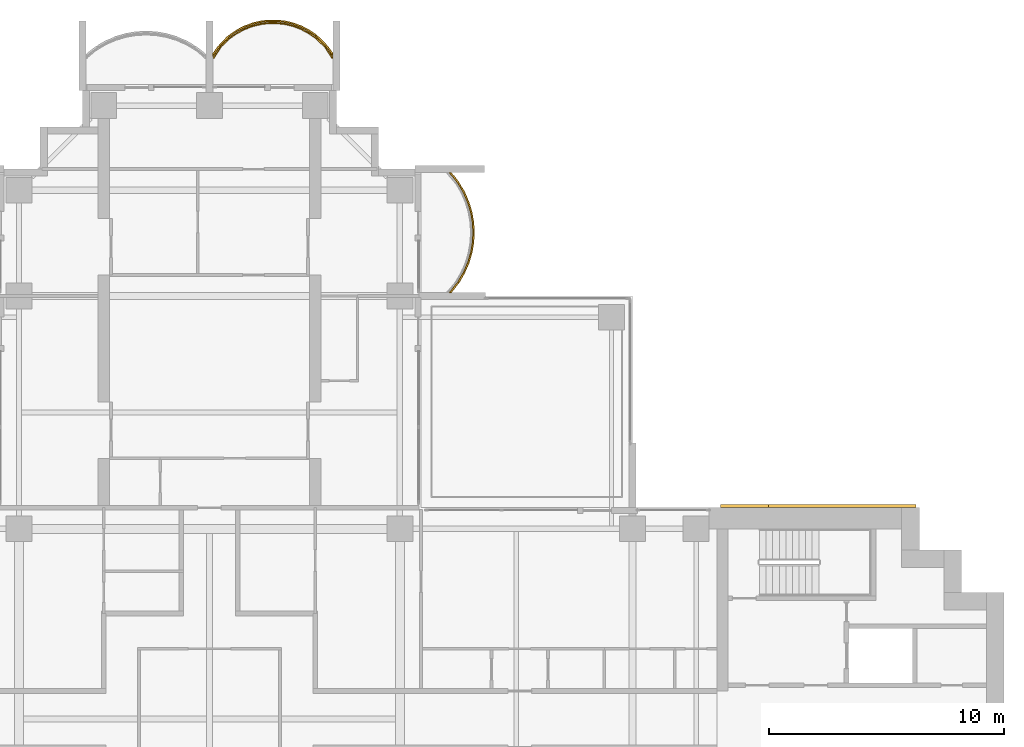
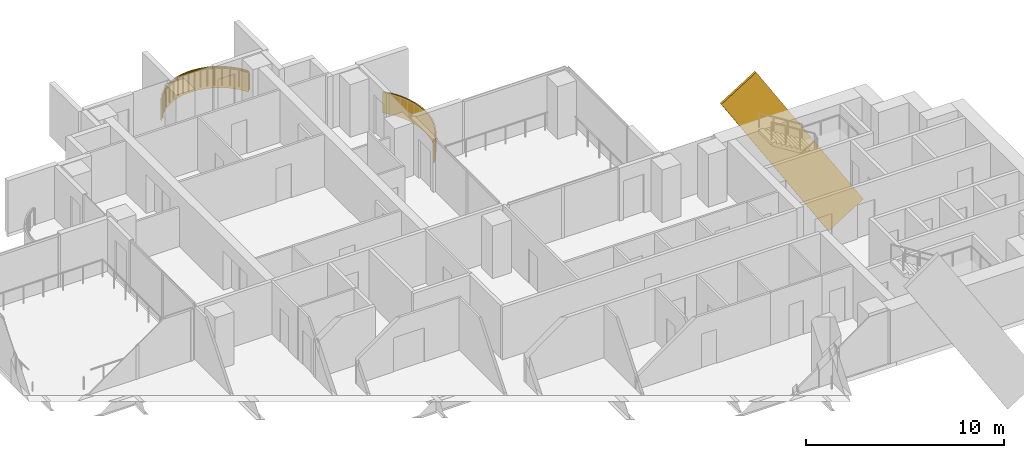
# One storey, part 19 of 19: 3 coverings, 1 railing.
"""IFC4 building model written with IfcOpenShell, lengths in metres."""

from ifc_helpers import new_model, si_unit, direction, frame, origin, origin_2d, place, context, subcontext, project, spatial, polyline, rectangle, outline, extrude, material, layer, layer_set, material_profile, profile_set, type_object, element, save


model = new_model("IFC4")

# Units and contexts
model_context = context("Model", 3, precision=1e-05, world=origin(), true_north=direction((0.0, 1.0)))
body_context = subcontext(model_context, "Body", "Model", "MODEL_VIEW")
ifc_project = project(units=[si_unit("LENGTHUNIT", "METRE"), si_unit("AREAUNIT", "SQUARE_METRE"), si_unit("VOLUMEUNIT", "CUBIC_METRE"), si_unit("PLANEANGLEUNIT", "RADIAN"), si_unit("MASSUNIT", "GRAM", prefix="KILO")], contexts=[model_context])

# Site, building, storey
site_placement = place(None, origin())
site = spatial("IfcSite", under=ifc_project, at=site_placement, CompositionType="ELEMENT")
building_placement = place(site_placement, origin())
building = spatial("IfcBuilding", under=site, at=building_placement, Name="Perihelion Cross Residences", CompositionType="ELEMENT")
storey_placement = place(building_placement, frame((0.0, 0.0, 137.39990234375)))
storey = spatial("IfcBuildingStorey", under=building, at=storey_placement, Name="L33", CompositionType="ELEMENT", Elevation=137.39990234375)

# Coverings
ifc_material_1 = material(Name="Bronze anodised aluminium", Category="aluminium")
ifc_layer = layer(ifc_material_1, 0.070068359375)
ifc_layer_set = layer_set([ifc_layer], Name="Balcony fascia 1300")
covering_type_1 = type_object("IfcCoveringType", Name="Balcony fascia 1300", PredefinedType="CLADDING", material=ifc_layer_set)
covering_1_placement = place(storey_placement, frame((0.0, 0.0, -0.199951171875)))
element("IfcCovering", 1, at=covering_1_placement, inside=storey, type_object=covering_type_1, Name="Fascia BF1 L33 north side east bay 2", PredefinedType="CLADDING", context=body_context, shape_type="SweptSolid", body=[
    extrude(outline(polyline([(10.59765625, 18.53515625), (10.85498046875, 18.96826171875), (11.04248046875, 19.401123046875), (11.170654296875, 19.833984375), (11.245361328125, 20.26708984375), (11.27001953125, 20.699951171875), (11.245361328125, 21.133056640625), (11.170654296875, 21.56591796875), (11.04248046875, 21.998779296875), (10.85498046875, 22.431884765625), (10.59765625, 22.86474609375), (10.28955078125, 23.25), (10.199951171875, 23.25), (10.5400390625, 22.824951171875), (10.792724609375, 22.39990234375), (10.9765625, 21.97509765625), (11.1025390625, 21.550048828125), (11.17578125, 21.125), (11.199951171875, 20.699951171875), (11.17578125, 20.27490234375), (11.1025390625, 19.85009765625), (10.9765625, 19.425048828125), (10.792724609375, 19.0), (10.5400390625, 18.574951171875), (10.199951171875, 18.14990234375), (10.28955078125, 18.14990234375), (10.59765625, 18.53515625)])), origin(), (0.0, 0.0, 1.0), 1.300048828125),
])
covering_2_placement = place(storey_placement, frame((0.0, 0.0, -0.199951171875)))
element("IfcCovering", 2, at=covering_2_placement, inside=storey, type_object=covering_type_1, Name="Fascia BF1 L33 north tip north bay 1", PredefinedType="CLADDING", context=body_context, shape_type="SweptSolid", body=[
    extrude(outline(polyline([(4.963134765625, 28.722412109375), (4.61474609375, 29.060791015625), (4.2666015625, 29.308837890625), (3.91845703125, 29.4912109375), (3.5703125, 29.620361328125), (3.22216796875, 29.703369140625), (2.8740234375, 29.743896484375), (2.52587890625, 29.743896484375), (2.177734375, 29.703369140625), (1.82958984375, 29.620361328125), (1.4814453125, 29.4912109375), (1.13330078125, 29.308837890625), (0.78515625, 29.060791015625), (0.43701171875, 28.722412109375), (0.14990234375, 28.320556640625), (0.14990234375, 28.199951171875), (0.489990234375, 28.6767578125), (0.830078125, 29.007080078125), (1.169921875, 29.2490234375), (1.510009765625, 29.42724609375), (1.85009765625, 29.553466796875), (2.18994140625, 29.63427734375), (2.530029296875, 29.674072265625), (2.8701171875, 29.674072265625), (3.2099609375, 29.63427734375), (3.550048828125, 29.553466796875), (3.889892578125, 29.42724609375), (4.22998046875, 29.2490234375), (4.570068359375, 29.007080078125), (4.909912109375, 28.6767578125), (5.25, 28.199951171875), (5.25, 28.320556640625), (4.963134765625, 28.722412109375)])), origin(), (0.0, 0.0, 1.0), 1.300048828125),
])

# Railing
ifc_material_2 = material(Name="Bronze anodised aluminium", Category="aluminium")
railing_type = type_object("IfcRailingType", Name="Balcony guard 1100", PredefinedType="GUARDRAIL", material=ifc_material_2)
railing_placement = place(storey_placement, frame((5.22509765625, 28.139892578125, 0.0)))
element("IfcRailing", 3, at=railing_placement, inside=storey, type_object=railing_type, Name="Guard GU1 L33 north tip north bay 1 balcony", PredefinedType="GUARDRAIL", context=body_context, shape_type="SweptSolid", body=[
    extrude(rectangle(XDim=0.048095703125, YDim=0.048095703125, at=origin_2d()), frame((0.0, 0.0, 1.076171875), z_axis=(-0.55144309028, 0.834212513801, 0.0), x_axis=(-0.834212513801, -0.55144309028, 0.0)), (0.0, 0.0, 1.0), 0.571533203125),
    extrude(rectangle(XDim=0.048095703125, YDim=0.048095703125, at=origin_2d()), frame((-0.315185546875, 0.476806640625, 1.076171875), z_axis=(-0.717080736691, 0.696990112603, 0.0), x_axis=(-0.696990112603, -0.717080736691, 0.0)), (0.0, 0.0, 1.0), 0.473876953125),
    extrude(rectangle(XDim=0.048095703125, YDim=0.048095703125, at=origin_2d()), frame((-0.655029296875, 0.80712890625, 1.076171875), z_axis=(-0.814562360662, 0.580075995532, 0.0), x_axis=(-0.580075995532, -0.814562360662, 0.0)), (0.0, 0.0, 1.0), 0.41748046875),
    extrude(rectangle(XDim=0.048095703125, YDim=0.048095703125, at=origin_2d()), frame((-0.9951171875, 1.04931640625, 1.076171875), z_axis=(-0.886005761733, 0.463674228502, 0.0), x_axis=(-0.463674228502, -0.886005761733, 0.0)), (0.0, 0.0, 1.0), 0.3837890625),
    extrude(rectangle(XDim=0.048095703125, YDim=0.048095703125, at=origin_2d()), frame((-1.335205078125, 1.227294921875, 1.076171875), z_axis=(-0.937431552165, 0.348169621027, 0.0), x_axis=(-0.348169621027, -0.937431552165, 0.0)), (0.0, 0.0, 1.0), 0.362548828125),
    extrude(rectangle(XDim=0.048095703125, YDim=0.048095703125, at=origin_2d()), frame((-1.675048828125, 1.353515625, 1.076171875), z_axis=(-0.972753741142, 0.231840805498, 0.0), x_axis=(-0.231840805498, -0.972753741142, 0.0)), (0.0, 0.0, 1.0), 0.349609375),
    extrude(rectangle(XDim=0.048095703125, YDim=0.048095703125, at=origin_2d()), frame((-2.01513671875, 1.4345703125, 1.076171875), z_axis=(-0.993295952156, 0.11559909788, 0.0), x_axis=(-0.11559909788, -0.993295952156, 0.0)), (0.0, 0.0, 1.0), 0.342041015625),
    extrude(rectangle(XDim=0.048095703125, YDim=0.048095703125, at=origin_2d()), frame((-2.35498046875, 1.47412109375, 1.076171875), z_axis=(-1.0, 0.0, 0.0), x_axis=(0.0, -1.0, 0.0)), (0.0, 0.0, 1.0), 0.340087890625),
    extrude(rectangle(XDim=0.048095703125, YDim=0.048095703125, at=origin_2d()), frame((-2.695068359375, 1.47412109375, 1.076171875), z_axis=(-0.993305477634, -0.11551721994, 0.0), x_axis=(0.11551721994, -0.993305477634, 0.0)), (0.0, 0.0, 1.0), 0.34228515625),
    extrude(rectangle(XDim=0.048095703125, YDim=0.048095703125, at=origin_2d()), frame((-3.03515625, 1.4345703125, 1.076171875), z_axis=(-0.972716168284, -0.231998396458, 0.0), x_axis=(0.231998396458, -0.972716168284, 0.0)), (0.0, 0.0, 1.0), 0.349365234375),
    extrude(rectangle(XDim=0.048095703125, YDim=0.048095703125, at=origin_2d()), frame((-3.375, 1.353515625, 1.076171875), z_axis=(-0.93751311099, -0.347949948587, 0.0), x_axis=(0.347949948587, -0.93751311099, 0.0)), (0.0, 0.0, 1.0), 0.36279296875),
    extrude(rectangle(XDim=0.048095703125, YDim=0.048095703125, at=origin_2d()), frame((-3.715087890625, 1.227294921875, 1.076171875), z_axis=(-0.886005761733, -0.463674228502, 0.0), x_axis=(0.463674228502, -0.886005761733, 0.0)), (0.0, 0.0, 1.0), 0.3837890625),
    extrude(rectangle(XDim=0.048095703125, YDim=0.048095703125, at=origin_2d()), frame((-4.05517578125, 1.04931640625, 1.076171875), z_axis=(-0.814365457194, -0.580352394782, 0.0), x_axis=(0.580352394782, -0.814365457194, 0.0)), (0.0, 0.0, 1.0), 0.417236328125),
    extrude(rectangle(XDim=0.048095703125, YDim=0.048095703125, at=origin_2d()), frame((-4.39501953125, 0.80712890625, 1.076171875), z_axis=(-0.717330852669, -0.69673269466, 0.0), x_axis=(0.69673269466, -0.717330852669, 0.0)), (0.0, 0.0, 1.0), 0.47412109375),
    extrude(rectangle(XDim=0.048095703125, YDim=0.048095703125, at=origin_2d()), frame((-4.735107421875, 0.476806640625, 1.076171875), z_axis=(-0.551145731138, -0.834409002258, 0.0), x_axis=(0.834409002258, -0.551145731138, 0.0)), (0.0, 0.0, 1.0), 0.571533203125),
    extrude(rectangle(XDim=0.0419921875, YDim=0.0419921875, at=origin_2d()), origin(), (0.0, 0.0, 1.0), 1.052001953125),
    extrude(rectangle(XDim=0.0419921875, YDim=0.0419921875, at=origin_2d()), frame((-0.315185546875, 0.476806640625, 0.0)), (0.0, 0.0, 1.0), 1.052001953125),
    extrude(rectangle(XDim=0.0419921875, YDim=0.0419921875, at=origin_2d()), frame((-0.655029296875, 0.80712890625, 0.0)), (0.0, 0.0, 1.0), 1.052001953125),
    extrude(rectangle(XDim=0.0419921875, YDim=0.0419921875, at=origin_2d()), frame((-0.9951171875, 1.04931640625, 0.0)), (0.0, 0.0, 1.0), 1.052001953125),
    extrude(rectangle(XDim=0.0419921875, YDim=0.0419921875, at=origin_2d()), frame((-1.335205078125, 1.227294921875, 0.0)), (0.0, 0.0, 1.0), 1.052001953125),
    extrude(rectangle(XDim=0.0419921875, YDim=0.0419921875, at=origin_2d()), frame((-1.675048828125, 1.353515625, 0.0)), (0.0, 0.0, 1.0), 1.052001953125),
    extrude(rectangle(XDim=0.0419921875, YDim=0.0419921875, at=origin_2d()), frame((-2.01513671875, 1.4345703125, 0.0)), (0.0, 0.0, 1.0), 1.052001953125),
    extrude(rectangle(XDim=0.0419921875, YDim=0.0419921875, at=origin_2d()), frame((-2.35498046875, 1.47412109375, 0.0)), (0.0, 0.0, 1.0), 1.052001953125),
    extrude(rectangle(XDim=0.0419921875, YDim=0.0419921875, at=origin_2d()), frame((-2.695068359375, 1.47412109375, 0.0)), (0.0, 0.0, 1.0), 1.052001953125),
    extrude(rectangle(XDim=0.0419921875, YDim=0.0419921875, at=origin_2d()), frame((-3.03515625, 1.4345703125, 0.0)), (0.0, 0.0, 1.0), 1.052001953125),
    extrude(rectangle(XDim=0.0419921875, YDim=0.0419921875, at=origin_2d()), frame((-3.375, 1.353515625, 0.0)), (0.0, 0.0, 1.0), 1.052001953125),
    extrude(rectangle(XDim=0.0419921875, YDim=0.0419921875, at=origin_2d()), frame((-3.715087890625, 1.227294921875, 0.0)), (0.0, 0.0, 1.0), 1.052001953125),
    extrude(rectangle(XDim=0.0419921875, YDim=0.0419921875, at=origin_2d()), frame((-4.05517578125, 1.04931640625, 0.0)), (0.0, 0.0, 1.0), 1.052001953125),
    extrude(rectangle(XDim=0.0419921875, YDim=0.0419921875, at=origin_2d()), frame((-4.39501953125, 0.80712890625, 0.0)), (0.0, 0.0, 1.0), 1.052001953125),
    extrude(rectangle(XDim=0.0419921875, YDim=0.0419921875, at=origin_2d()), frame((-4.735107421875, 0.476806640625, 0.0)), (0.0, 0.0, 1.0), 1.052001953125),
    extrude(rectangle(XDim=0.0419921875, YDim=0.0419921875, at=origin_2d()), frame((-5.050048828125, 0.0, 0.0)), (0.0, 0.0, 1.0), 1.052001953125),
])

# Covering
ifc_material_3 = material(Name="Bronze anodised aluminium", Category="aluminium")
ifc_material_profile = material_profile(ifc_material_3, rectangle(XDim=0.125, YDim=2.39990234375, at=origin_2d()), Name="Bronze cladding band 2400")
ifc_profile_set = profile_set([ifc_material_profile], Name="Bronze anodised aluminium")
covering_type_2 = type_object("IfcCoveringType", Name="Bronze cladding band 2400", PredefinedType="CLADDING", material=ifc_profile_set)
covering_3_placement = place(storey_placement, frame((29.0322265625, 9.0625, -4.472412109375), z_axis=(-0.529915403603, 0.0, 0.848050508534), x_axis=(0.0, -1.0, 0.0)))
element("IfcCovering", 4, at=covering_3_placement, inside=storey, type_object=covering_type_2, Name="Core cladding band, east core", PredefinedType="CLADDING", context=body_context, shape_type="SweptSolid", body=[
    extrude(rectangle(XDim=0.125, YDim=2.39990234375, at=origin_2d()), origin(), (0.0, 0.0, 1.0), 11.822021484375),
])

save(model, "model.ifc")
